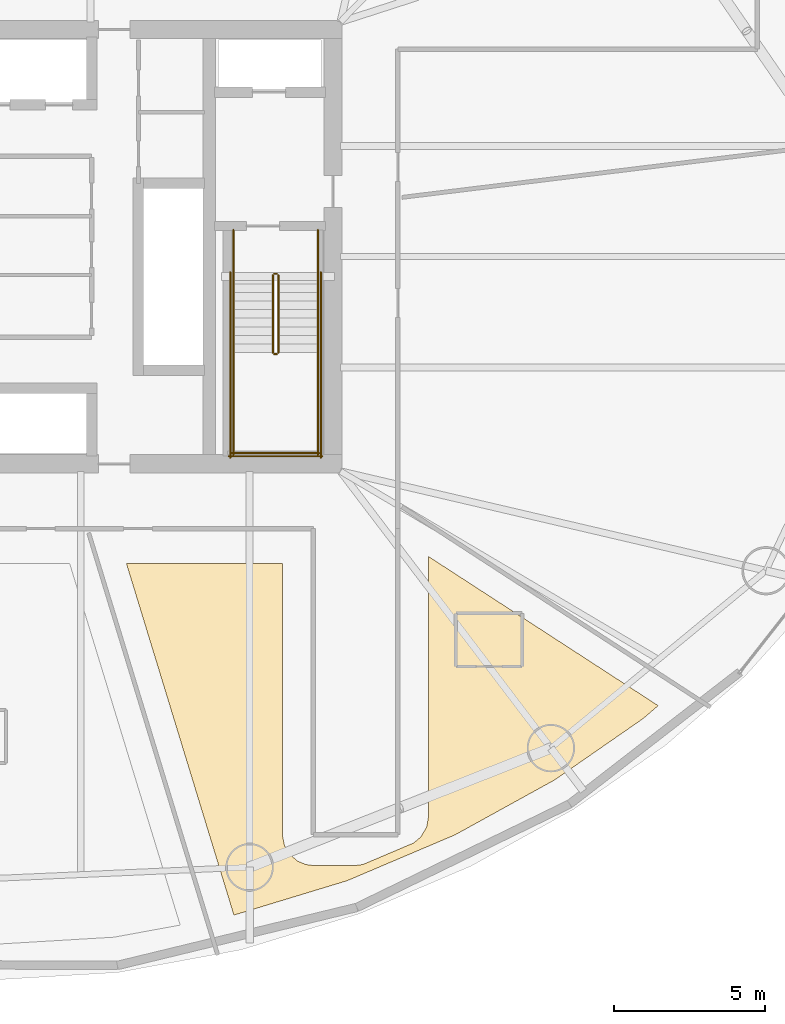
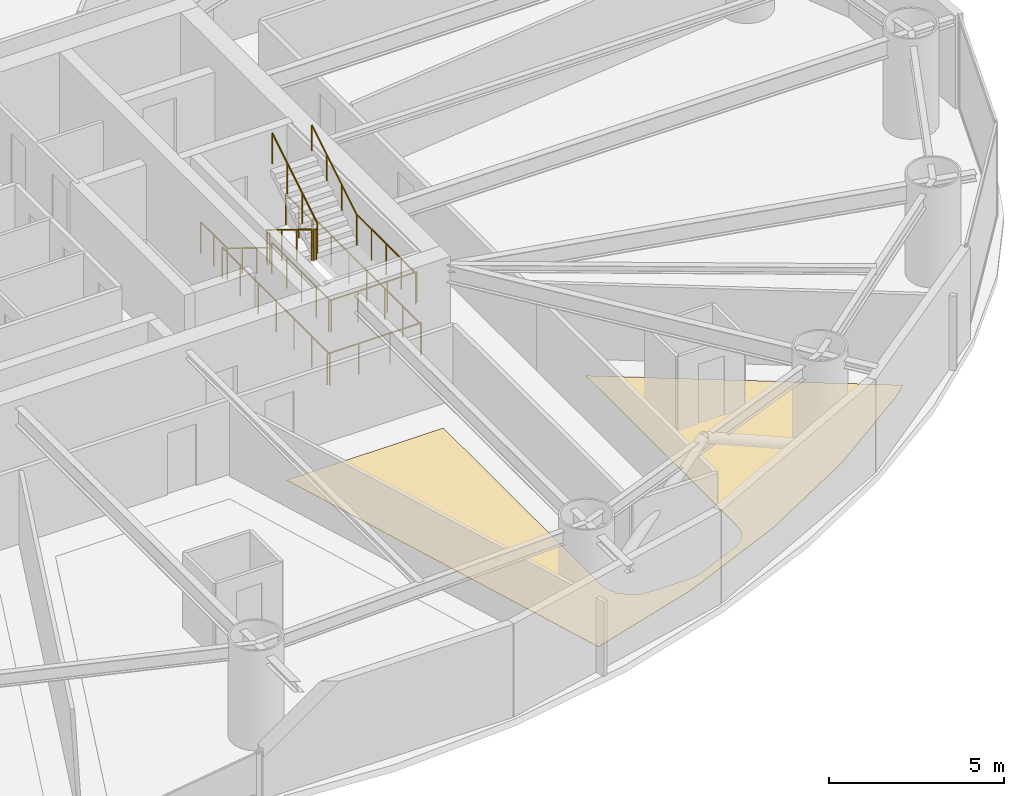
# One storey, part 22 of 23: 14 railings, 1 covering.
"""IFC4 building model written with IfcOpenShell, lengths in metres."""

from ifc_helpers import new_model, si_unit, direction, frame, origin, origin_2d, place, context, subcontext, project, spatial, polyline, circle, outline, extrude, material, layer, layer_set, type_object, element, save


model = new_model("IFC4")

# Units and contexts
model_context = context("Model", 3, precision=1e-05, world=origin(), true_north=direction((0.0, 1.0)))
body_context = subcontext(model_context, "Body", "Model", "MODEL_VIEW")
ifc_project = project(units=[si_unit("LENGTHUNIT", "METRE"), si_unit("AREAUNIT", "SQUARE_METRE"), si_unit("VOLUMEUNIT", "CUBIC_METRE"), si_unit("PLANEANGLEUNIT", "RADIAN"), si_unit("MASSUNIT", "GRAM", prefix="KILO")], contexts=[model_context])

# Site, building, storey
site_placement = place(None, origin())
site = spatial("IfcSite", under=ifc_project, at=site_placement, CompositionType="ELEMENT")
building_placement = place(site_placement, origin())
building = spatial("IfcBuilding", under=site, at=building_placement, Name="Bramvorn Convention Spire", CompositionType="ELEMENT")
storey_placement = place(building_placement, frame((0.0, 0.0, 65.89990234375)))
storey = spatial("IfcBuildingStorey", under=building, at=storey_placement, Name="L14", CompositionType="ELEMENT", Elevation=65.89990234375)

# Covering
ifc_material_1 = material(Name="Solution-Dyed Wool Broadloom Hospitality Carpet", Category="textile")
ifc_layer = layer(ifc_material_1, 0.014892578125)
ifc_layer_set = layer_set([ifc_layer], Name="Solution-Dyed Wool Broadloom Hospitality Carpet - FLR-CARPET-15")
covering_type = type_object("IfcCoveringType", Name="FLR-CARPET-15", PredefinedType="FLOORING", material=ifc_layer_set)
covering_placement = place(storey_placement, origin())
element("IfcCovering", 1, at=covering_placement, inside=storey, type_object=covering_type, Name="Hotel Suite 1408 wool broadloom carpet", PredefinedType="FLOORING", context=body_context, shape_type="SweptSolid", body=[
    extrude(outline(polyline([(49.47314453125, 4.97607421875), (53.05517578125, 6.498046875), (56.3525390625, 8.31689453125), (59.298583984375, 10.360107421875), (59.783447265625, 10.780517578125), (52.169921875, 15.724853515625), (52.169921875, 7.10107421875), (52.109130859375, 6.75439453125), (51.913330078125, 6.4248046875), (51.67626953125, 6.227294921875), (49.994873046875, 5.513671875), (49.735595703125, 5.47998046875), (48.35009765625, 5.47998046875), (48.096435546875, 5.51220703125), (47.820556640625, 5.62841796875), (47.534423828125, 5.8876953125), (47.3916015625, 6.15087890625), (47.331787109375, 6.444091796875), (47.330078125, 15.5), (42.1513671875, 15.5), (45.717529296875, 3.835205078125), (49.47314453125, 4.97607421875)])), origin(), (0.0, 0.0, 1.0), 0.01513671875),
])

# Railings
ifc_material_2 = material(Name="Painted Steel Balustrade & Guardrail", Category="steel")
railing_type_1 = type_object("IfcRailingType", Name="RL-STAIR-GUARD-1100", PredefinedType="GUARDRAIL", material=ifc_material_2)
railing_1_placement = place(storey_placement, frame((47.010009765625, 25.050048828125, 0.175048828125)))
element("IfcRailing", 2, at=railing_1_placement, inside=storey, type_object=railing_type_1, Name="L14 ST2 stair guard 1", PredefinedType="GUARDRAIL", context=body_context, shape_type="SweptSolid", body=[
    extrude(circle(Radius=0.02392578125, at=origin_2d()), frame((0.0, 0.0, 1.076171875), z_axis=(0.0, -0.852173129349, 0.523259933127), x_axis=(1.0, 0.0, 0.0)), (0.0, 0.0, 1.0), 3.009765625),
    extrude(circle(Radius=0.02099609375, at=origin_2d()), origin(), (0.0, 0.0, 1.0), 1.052001953125),
    extrude(circle(Radius=0.02099609375, at=origin_2d()), frame((0.0, -0.85498046875, 0.52490234375)), (0.0, 0.0, 1.0), 1.052001953125),
    extrude(circle(Radius=0.02099609375, at=origin_2d()), frame((0.0, -1.7099609375, 1.050048828125)), (0.0, 0.0, 1.0), 1.052001953125),
    extrude(circle(Radius=0.02099609375, at=origin_2d()), frame((0.0, -2.56494140625, 1.574951171875)), (0.0, 0.0, 1.0), 1.052001953125),
])
railing_2_placement = place(storey_placement, frame((47.06005859375, 22.43505859375, 1.75)))
element("IfcRailing", 3, at=railing_2_placement, inside=storey, type_object=railing_type_1, Name="L14 ST2 stair guard 2", PredefinedType="GUARDRAIL", context=body_context, shape_type="SweptSolid", body=[
    extrude(circle(Radius=0.02392578125, at=origin_2d()), frame((0.0, 0.0, 1.076171875), z_axis=(1.0, 0.0, 0.0), x_axis=(0.0, 1.0, 0.0)), (0.0, 0.0, 1.0), 0.079833984375),
    extrude(circle(Radius=0.02099609375, at=origin_2d()), origin(), (0.0, 0.0, 1.0), 1.052001953125),
    extrude(circle(Radius=0.02099609375, at=origin_2d()), frame((0.079833984375, 0.0, 0.0)), (0.0, 0.0, 1.0), 1.052001953125),
])
for number, where, name in (
    (4, (45.699951171875, 22.485107421875, 1.75), "L14 ST2 stair guard 3"),
    (5, (48.5, 22.485107421875, 1.75), "L14 ST2 stair guard 4"),
):
    element("IfcRailing", number, at=place(storey_placement, frame(where)), inside=storey, type_object=railing_type_1, Name=name, PredefinedType="GUARDRAIL", context=body_context, shape_type="SweptSolid", body=[
        extrude(circle(Radius=0.02392578125, at=origin_2d()), frame((0.0, 0.0, 1.076171875), z_axis=(0.0, -1.0, 0.0), x_axis=(1.0, 0.0, 0.0)), (0.0, 0.0, 1.0), 3.385009765625),
        extrude(circle(Radius=0.02099609375, at=origin_2d()), origin(), (0.0, 0.0, 1.0), 1.052001953125),
        extrude(circle(Radius=0.02099609375, at=origin_2d()), frame((0.0, -0.84619140625, 0.0)), (0.0, 0.0, 1.0), 1.052001953125),
        extrude(circle(Radius=0.02099609375, at=origin_2d()), frame((0.0, -1.6923828125, 0.0)), (0.0, 0.0, 1.0), 1.052001953125),
        extrude(circle(Radius=0.02099609375, at=origin_2d()), frame((0.0, -2.538818359375, 0.0)), (0.0, 0.0, 1.0), 1.052001953125),
        extrude(circle(Radius=0.02099609375, at=origin_2d()), frame((0.0, -3.385009765625, 0.0)), (0.0, 0.0, 1.0), 1.052001953125),
    ])
railing_3_placement = place(storey_placement, frame((45.64990234375, 19.14990234375, 1.75)))
element("IfcRailing", 6, at=railing_3_placement, inside=storey, type_object=railing_type_1, Name="L14 ST2 stair guard 5", PredefinedType="GUARDRAIL", context=body_context, shape_type="SweptSolid", body=[
    extrude(circle(Radius=0.02392578125, at=origin_2d()), frame((0.0, 0.0, 1.076171875), z_axis=(1.0, 0.0, 0.0), x_axis=(0.0, 1.0, 0.0)), (0.0, 0.0, 1.0), 2.900146484375),
    extrude(circle(Radius=0.02099609375, at=origin_2d()), origin(), (0.0, 0.0, 1.0), 1.052001953125),
    extrude(circle(Radius=0.02099609375, at=origin_2d()), frame((0.966796875, 0.0, 0.0)), (0.0, 0.0, 1.0), 1.052001953125),
    extrude(circle(Radius=0.02099609375, at=origin_2d()), frame((1.933349609375, 0.0, 0.0)), (0.0, 0.0, 1.0), 1.052001953125),
    extrude(circle(Radius=0.02099609375, at=origin_2d()), frame((2.900146484375, 0.0, 0.0)), (0.0, 0.0, 1.0), 1.052001953125),
])
railing_4_placement = place(storey_placement, frame((47.18994140625, 22.485107421875, 1.925048828125)))
element("IfcRailing", 7, at=railing_4_placement, inside=storey, type_object=railing_type_1, Name="L14 ST2 stair guard 6", PredefinedType="GUARDRAIL", context=body_context, shape_type="SweptSolid", body=[
    extrude(circle(Radius=0.02392578125, at=origin_2d()), frame((0.0, 0.0, 1.076171875), z_axis=(0.0, 0.852173129349, 0.523259933127), x_axis=(-1.0, 0.0, 0.0)), (0.0, 0.0, 1.0), 3.009765625),
    extrude(circle(Radius=0.02099609375, at=origin_2d()), origin(), (0.0, 0.0, 1.0), 1.052001953125),
    extrude(circle(Radius=0.02099609375, at=origin_2d()), frame((0.0, 0.85498046875, 0.52490234375)), (0.0, 0.0, 1.0), 1.052001953125),
    extrude(circle(Radius=0.02099609375, at=origin_2d()), frame((0.0, 1.7099609375, 1.050048828125)), (0.0, 0.0, 1.0), 1.052001953125),
    extrude(circle(Radius=0.02099609375, at=origin_2d()), frame((0.0, 2.56494140625, 1.574951171875)), (0.0, 0.0, 1.0), 1.052001953125),
])
railing_5_placement = place(storey_placement, frame((47.06005859375, 25.10009765625, 0.0)))
element("IfcRailing", 8, at=railing_5_placement, inside=storey, type_object=railing_type_1, Name="L14 ST2 stair guard 7", PredefinedType="GUARDRAIL", context=body_context, shape_type="SweptSolid", body=[
    extrude(circle(Radius=0.02392578125, at=origin_2d()), frame((0.0, 0.0, 1.076171875), z_axis=(1.0, 0.0, 0.0), x_axis=(0.0, 1.0, 0.0)), (0.0, 0.0, 1.0), 0.079833984375),
    extrude(circle(Radius=0.02099609375, at=origin_2d()), origin(), (0.0, 0.0, 1.0), 1.052001953125),
    extrude(circle(Radius=0.02099609375, at=origin_2d()), frame((0.079833984375, 0.0, 0.0)), (0.0, 0.0, 1.0), 1.052001953125),
])
for number, where, name in (
    (9, (45.699951171875, 26.550048828125, 0.0), "L14 ST2 stair guard 8"),
    (10, (48.5, 26.550048828125, 0.0), "L14 ST2 stair guard 9"),
):
    element("IfcRailing", number, at=place(storey_placement, frame(where)), inside=storey, type_object=railing_type_1, Name=name, PredefinedType="GUARDRAIL", context=body_context, shape_type="SweptSolid", body=[
        extrude(circle(Radius=0.02392578125, at=origin_2d()), frame((0.0, 0.0, 1.076171875), z_axis=(0.0, -1.0, 0.0), x_axis=(1.0, 0.0, 0.0)), (0.0, 0.0, 1.0), 1.5),
        extrude(circle(Radius=0.02099609375, at=origin_2d()), origin(), (0.0, 0.0, 1.0), 1.052001953125),
        extrude(circle(Radius=0.02099609375, at=origin_2d()), frame((0.0, -0.75, 0.0)), (0.0, 0.0, 1.0), 1.052001953125),
        extrude(circle(Radius=0.02099609375, at=origin_2d()), frame((0.0, -1.5, 0.0)), (0.0, 0.0, 1.0), 1.052001953125),
    ])
for number, where, name in (
    (11, (45.60009765625, 25.14990234375, 0.0), "L14 ST2 stair guard 10"),
    (12, (48.60009765625, 25.14990234375, 0.0), "L14 ST2 stair guard 11"),
):
    element("IfcRailing", number, at=place(storey_placement, frame(where)), inside=storey, type_object=railing_type_1, Name=name, PredefinedType="GUARDRAIL", context=body_context, shape_type="SweptSolid", body=[
        extrude(circle(Radius=0.02392578125, at=origin_2d()), frame((0.0, 0.0, 1.076171875), z_axis=(0.0, -1.0, 0.0), x_axis=(1.0, 0.0, 0.0)), (0.0, 0.0, 1.0), 6.14990234375),
        extrude(circle(Radius=0.02099609375, at=origin_2d()), origin(), (0.0, 0.0, 1.0), 1.052001953125),
        extrude(circle(Radius=0.02099609375, at=origin_2d()), frame((0.0, -1.02490234375, 0.0)), (0.0, 0.0, 1.0), 1.052001953125),
        extrude(circle(Radius=0.02099609375, at=origin_2d()), frame((0.0, -2.050048828125, 0.0)), (0.0, 0.0, 1.0), 1.052001953125),
        extrude(circle(Radius=0.02099609375, at=origin_2d()), frame((0.0, -3.074951171875, 0.0)), (0.0, 0.0, 1.0), 1.052001953125),
        extrude(circle(Radius=0.02099609375, at=origin_2d()), frame((0.0, -4.099853515625, 0.0)), (0.0, 0.0, 1.0), 1.052001953125),
        extrude(circle(Radius=0.02099609375, at=origin_2d()), frame((0.0, -5.125, 0.0)), (0.0, 0.0, 1.0), 1.052001953125),
        extrude(circle(Radius=0.02099609375, at=origin_2d()), frame((0.0, -6.14990234375, 0.0)), (0.0, 0.0, 1.0), 1.052001953125),
    ])
railing_6_placement = place(storey_placement, frame((45.550048828125, 19.050048828125, 0.0)))
element("IfcRailing", 13, at=railing_6_placement, inside=storey, type_object=railing_type_1, Name="L14 ST2 stair guard 12", PredefinedType="GUARDRAIL", context=body_context, shape_type="SweptSolid", body=[
    extrude(circle(Radius=0.02392578125, at=origin_2d()), frame((0.0, 0.0, 1.076171875), z_axis=(1.0, 0.0, 0.0), x_axis=(0.0, 1.0, 0.0)), (0.0, 0.0, 1.0), 3.099853515625),
    extrude(circle(Radius=0.02099609375, at=origin_2d()), origin(), (0.0, 0.0, 1.0), 1.052001953125),
    extrude(circle(Radius=0.02099609375, at=origin_2d()), frame((1.033203125, 0.0, 0.0)), (0.0, 0.0, 1.0), 1.052001953125),
    extrude(circle(Radius=0.02099609375, at=origin_2d()), frame((2.066650390625, 0.0, 0.0)), (0.0, 0.0, 1.0), 1.052001953125),
    extrude(circle(Radius=0.02099609375, at=origin_2d()), frame((3.099853515625, 0.0, 0.0)), (0.0, 0.0, 1.0), 1.052001953125),
])
ifc_material_3 = material(Name="Brushed Bronze Tubular Handrail", Category="aluminium")
railing_type_2 = type_object("IfcRailingType", Name="RL-STAIR-HR-920", PredefinedType="HANDRAIL", material=ifc_material_3)
railing_7_placement = place(storey_placement, frame((45.699951171875, 25.050048828125, 0.175048828125)))
element("IfcRailing", 14, at=railing_7_placement, inside=storey, type_object=railing_type_2, Name="L14 ST2 stair handrail 1", PredefinedType="HANDRAIL", context=body_context, shape_type="SweptSolid", body=[
    extrude(circle(Radius=0.02392578125, at=origin_2d()), frame((0.0, 0.0, 0.89599609375), z_axis=(0.0, -0.852173129349, 0.523259933127), x_axis=(1.0, 0.0, 0.0)), (0.0, 0.0, 1.0), 3.009765625),
    extrude(circle(Radius=0.02099609375, at=origin_2d()), origin(), (0.0, 0.0, 1.0), 0.871826171875),
    extrude(circle(Radius=0.02099609375, at=origin_2d()), frame((0.0, -0.85498046875, 0.52490234375)), (0.0, 0.0, 1.0), 0.871826171875),
    extrude(circle(Radius=0.02099609375, at=origin_2d()), frame((0.0, -1.7099609375, 1.050048828125)), (0.0, 0.0, 1.0), 0.871826171875),
    extrude(circle(Radius=0.02099609375, at=origin_2d()), frame((0.0, -2.56494140625, 1.574951171875)), (0.0, 0.0, 1.0), 0.871826171875),
])
railing_8_placement = place(storey_placement, frame((48.5, 22.485107421875, 1.925048828125)))
element("IfcRailing", 15, at=railing_8_placement, inside=storey, type_object=railing_type_2, Name="L14 ST2 stair handrail 2", PredefinedType="HANDRAIL", context=body_context, shape_type="SweptSolid", body=[
    extrude(circle(Radius=0.02392578125, at=origin_2d()), frame((0.0, 0.0, 0.89599609375), z_axis=(0.0, 0.852173129349, 0.523259933127), x_axis=(-1.0, 0.0, 0.0)), (0.0, 0.0, 1.0), 3.009765625),
    extrude(circle(Radius=0.02099609375, at=origin_2d()), origin(), (0.0, 0.0, 1.0), 0.871826171875),
    extrude(circle(Radius=0.02099609375, at=origin_2d()), frame((0.0, 0.85498046875, 0.52490234375)), (0.0, 0.0, 1.0), 0.871826171875),
    extrude(circle(Radius=0.02099609375, at=origin_2d()), frame((0.0, 1.7099609375, 1.050048828125)), (0.0, 0.0, 1.0), 0.871826171875),
    extrude(circle(Radius=0.02099609375, at=origin_2d()), frame((0.0, 2.56494140625, 1.574951171875)), (0.0, 0.0, 1.0), 0.871826171875),
])

save(model, "model.ifc")
